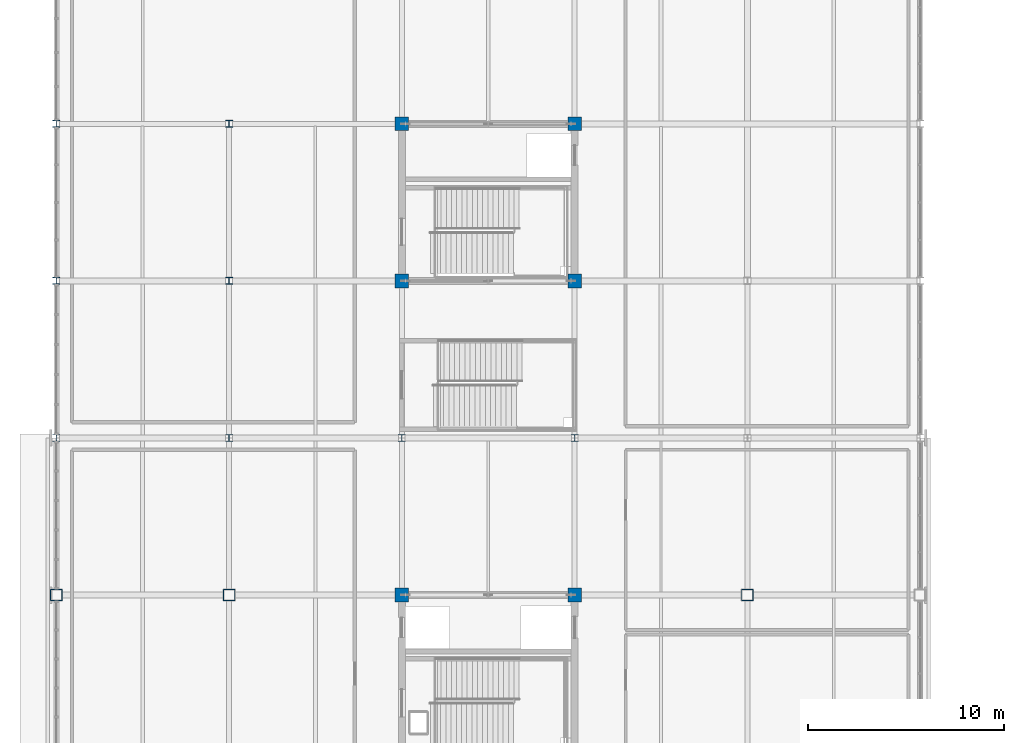
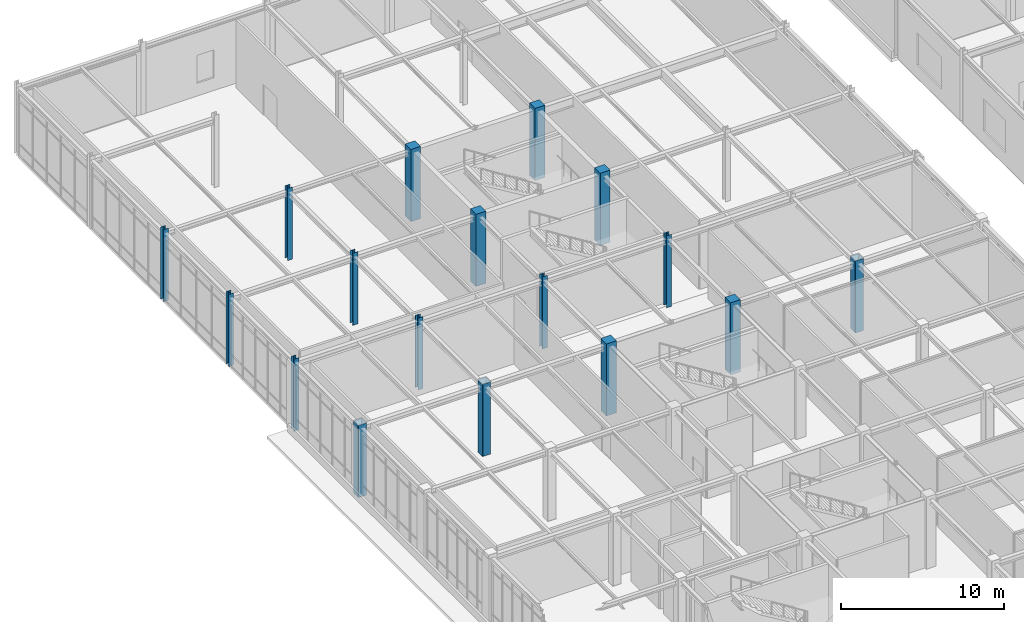
# One storey, part 9 of 108: 17 columns.
"""IFC4 building model written with IfcOpenShell, lengths in metres."""

from ifc_helpers import new_model, si_unit, direction, frame, origin, origin_2d, place, context, subcontext, project, spatial, rectangle, hollow_rectangle, i_section, extrude, material, material_profile, profile_set, type_object, element, save


model = new_model("IFC4")

# Units and contexts
model_context = context("Model", 3, precision=1e-05, world=origin(), true_north=direction((0.0, 1.0)))
body_context = subcontext(model_context, "Body", "Model", "MODEL_VIEW")
ifc_project = project(units=[si_unit("LENGTHUNIT", "METRE"), si_unit("AREAUNIT", "SQUARE_METRE"), si_unit("VOLUMEUNIT", "CUBIC_METRE"), si_unit("PLANEANGLEUNIT", "RADIAN"), si_unit("MASSUNIT", "GRAM", prefix="KILO")], contexts=[model_context])

# Site, building, storey
site_placement = place(None, origin())
site = spatial("IfcSite", under=ifc_project, at=site_placement, CompositionType="ELEMENT")
building_placement = place(site_placement, origin())
building = spatial("IfcBuilding", under=site, at=building_placement, Name="Zhaolan Boulevard Law Courts", CompositionType="ELEMENT")
storey_placement = place(building_placement, frame((0.0, 0.0, 10.800048828125)))
storey = spatial("IfcBuildingStorey", under=building, at=storey_placement, Name="L02", CompositionType="ELEMENT", Elevation=10.800048828125)

# Columns
ifc_material_1 = material(Name="Structural steel Q390B", Category="steel")
ifc_material_profile_1 = material_profile(ifc_material_1, hollow_rectangle(XDim=0.60009765625, YDim=0.60009765625, WallThickness=0.02392578125, InnerFilletRadius=0.02392578125, OuterFilletRadius=0.048095703125, at=origin_2d()), Name="BOX600x600x24")
ifc_profile_set_1 = profile_set([ifc_material_profile_1], Name="Structural steel Q390B")
column_type_1 = type_object("IfcColumnType", Name="COL BOX600", PredefinedType="COLUMN", material=ifc_profile_set_1)
for number, where, z_axis, x_axis, name in (
    (1, (0.0, 70.0, 0.0), (0.0, 0.0, 1.0), (1.0, 0.0, 0.0), "Column C-1K (L02)"),
    (2, (8.800048828125, 70.0, 0.0), (0.0, 0.0, 1.0), (1.0, 0.0, 0.0), "Column C-2K (L02)"),
    (3, (35.199951171875, 70.0, 0.0), (0.0, 0.0, 1.0), (1.0, 0.0, 0.0), "Column C-5K (L02)"),
):
    element("IfcColumn", number, at=place(storey_placement, frame(where, z_axis=z_axis, x_axis=x_axis)), inside=storey, type_object=column_type_1, Name=name, PredefinedType="COLUMN", context=body_context, shape_type="SweptSolid", body=[
        extrude(hollow_rectangle(XDim=0.60009765625, YDim=0.60009765625, WallThickness=0.02392578125, InnerFilletRadius=0.02392578125, OuterFilletRadius=0.048095703125, at=origin_2d()), origin(), (0.0, 0.0, 1.0), 5.39990234375),
    ])
ifc_material_2 = material(Name="Structural steel Q355B", Category="steel")
ifc_material_profile_2 = material_profile(ifc_material_2, i_section(OverallWidth=0.35009765625, OverallDepth=0.35009765625, WebThickness=0.011962890625, FlangeThickness=0.01904296875, FilletRadius=0.02001953125, at=origin_2d()), Name="HW350x350")
ifc_profile_set_2 = profile_set([ifc_material_profile_2], Name="Structural steel Q355B")
column_type_2 = type_object("IfcColumnType", Name="COL HW350", PredefinedType="COLUMN", material=ifc_profile_set_2)
for number, where, z_axis, x_axis, name in (
    (4, (0.0, 78.0, 0.0), (0.0, 0.0, 1.0), (1.0, 0.0, 0.0), "Column C-1L (L02)"),
    (5, (0.0, 86.0, 0.0), (0.0, 0.0, 1.0), (1.0, 0.0, 0.0), "Column C-1M (L02)"),
    (6, (0.0, 94.0, 0.0), (0.0, 0.0, 1.0), (1.0, 0.0, 0.0), "Column C-1N (L02)"),
    (7, (8.800048828125, 78.0, 0.0), (0.0, 0.0, 1.0), (1.0, 0.0, 0.0), "Column C-2L (L02)"),
    (8, (8.800048828125, 86.0, 0.0), (0.0, 0.0, 1.0), (1.0, 0.0, 0.0), "Column C-2M (L02)"),
    (9, (8.800048828125, 94.0, 0.0), (0.0, 0.0, 1.0), (1.0, 0.0, 0.0), "Column C-2N (L02)"),
    (10, (17.60009765625, 78.0, 0.0), (0.0, 0.0, 1.0), (1.0, 0.0, 0.0), "Column C-3L (L02)"),
    (11, (26.39990234375, 78.0, 0.0), (0.0, 0.0, 1.0), (1.0, 0.0, 0.0), "Column C-4L (L02)"),
):
    element("IfcColumn", number, at=place(storey_placement, frame(where, z_axis=z_axis, x_axis=x_axis)), inside=storey, type_object=column_type_2, Name=name, PredefinedType="COLUMN", context=body_context, shape_type="SweptSolid", body=[
        extrude(i_section(OverallWidth=0.35009765625, OverallDepth=0.35009765625, WebThickness=0.011962890625, FlangeThickness=0.01904296875, FilletRadius=0.02001953125, at=origin_2d()), origin(), (0.0, 0.0, 1.0), 5.39990234375),
    ])
ifc_material_3 = material(Name="Concrete C50", Category="concrete")
ifc_material_profile_3 = material_profile(ifc_material_3, rectangle(XDim=0.699951171875, YDim=0.699951171875, at=origin_2d()), Name="RC700x700")
ifc_profile_set_3 = profile_set([ifc_material_profile_3], Name="Concrete C50")
column_type_3 = type_object("IfcColumnType", Name="COL RC700", PredefinedType="COLUMN", material=ifc_profile_set_3)
for number, where, z_axis, x_axis, name in (
    (12, (17.60009765625, 70.0, 0.0), (0.0, 0.0, 1.0), (1.0, 0.0, 0.0), "Column C-3K (L02)"),
    (13, (17.60009765625, 86.0, 0.0), (0.0, 0.0, 1.0), (1.0, 0.0, 0.0), "Column C-3M (L02)"),
    (14, (17.60009765625, 94.0, 0.0), (0.0, 0.0, 1.0), (1.0, 0.0, 0.0), "Column C-3N (L02)"),
    (15, (26.39990234375, 70.0, 0.0), (0.0, 0.0, 1.0), (1.0, 0.0, 0.0), "Column C-4K (L02)"),
    (16, (26.39990234375, 86.0, 0.0), (0.0, 0.0, 1.0), (1.0, 0.0, 0.0), "Column C-4M (L02)"),
    (17, (26.39990234375, 94.0, 0.0), (0.0, 0.0, 1.0), (1.0, 0.0, 0.0), "Column C-4N (L02)"),
):
    element("IfcColumn", number, at=place(storey_placement, frame(where, z_axis=z_axis, x_axis=x_axis)), inside=storey, type_object=column_type_3, Name=name, PredefinedType="COLUMN", context=body_context, shape_type="SweptSolid", body=[
        extrude(rectangle(XDim=0.699951171875, YDim=0.699951171875, at=origin_2d()), origin(), (0.0, 0.0, 1.0), 5.39990234375),
    ])

save(model, "model.ifc")
